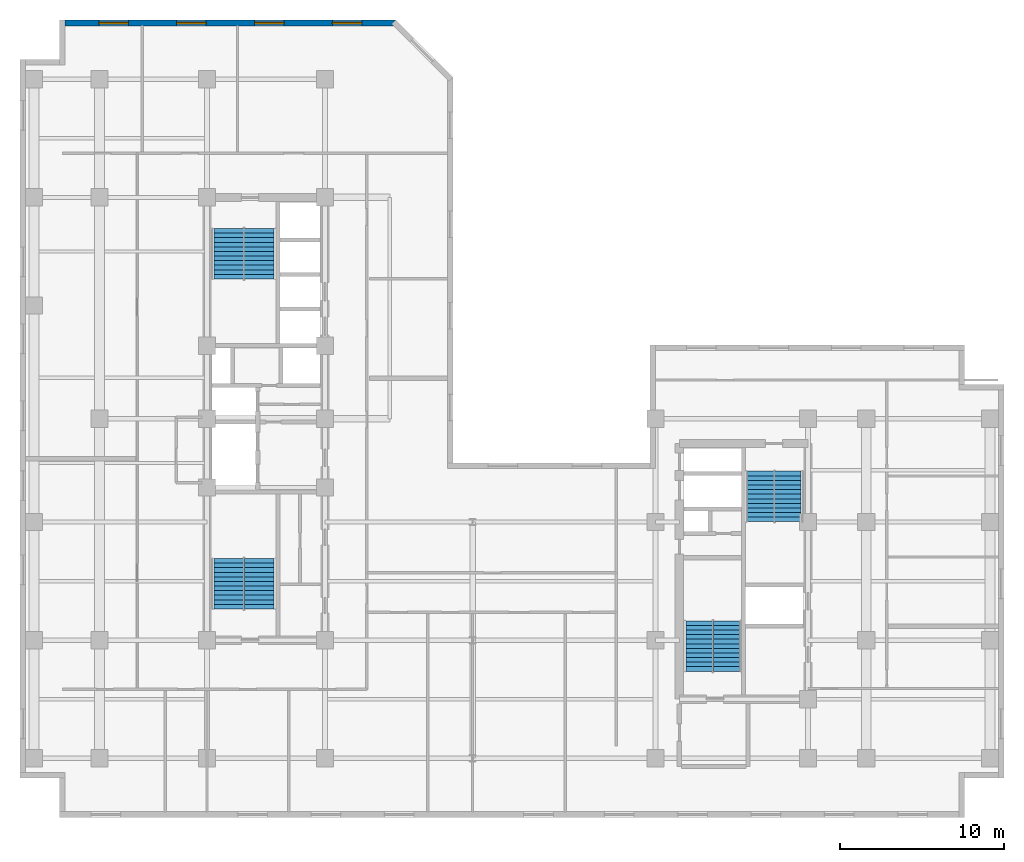
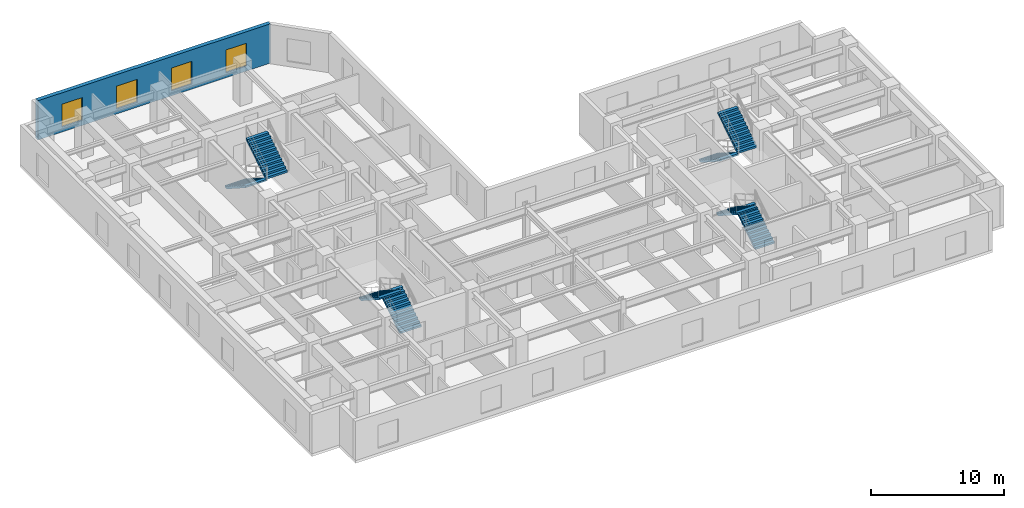
# One storey, part 7 of 10: 8 stair flights, 4 windows, 1 wall, 4 openings, 4 elements without a shape of their own.
"""IFC4 building model written with IfcOpenShell, lengths in metres."""

from ifc_helpers import new_model, entity, si_unit, converted_unit, direction, frame, origin_with_axes, origin_2d_with_axis, place, context, subcontext, project, spatial, polyline, rectangle, outline, extrude, material, layer, layer_set, type_object, element, fill, aggregate, save


model = new_model("IFC4")

# Units and contexts
model_context = context("Model", 3, precision=1e-05, world=origin_with_axes(), true_north=direction((0.0, 1.0)))
body_context = subcontext(model_context, "Body", "Model", "MODEL_VIEW")
ifc_project = project(units=[si_unit("LENGTHUNIT", "METRE"), si_unit("AREAUNIT", "SQUARE_METRE"), si_unit("VOLUMEUNIT", "CUBIC_METRE"), converted_unit("PLANEANGLEUNIT", "DEGREE", entity("IfcPlaneAngleMeasure", 0.017453292519943295), si_unit("PLANEANGLEUNIT", "RADIAN"), dimensions=[0, 0, 0, 0, 0, 0, 0]), si_unit("MASSUNIT", "GRAM", prefix="KILO"), si_unit("THERMODYNAMICTEMPERATUREUNIT", "KELVIN")], contexts=[model_context])

# Site, building, storey
site_placement = place(None, origin_with_axes())
site = spatial("IfcSite", under=ifc_project, at=site_placement, CompositionType="ELEMENT")
building_placement = place(site_placement, origin_with_axes())
building = spatial("IfcBuilding", under=site, at=building_placement, Name="Varnlund Millrace Tower", CompositionType="ELEMENT")
storey_placement = place(building_placement, frame((0.0, 0.0, 183.6), z_axis=(0.0, 0.0, 1.0), x_axis=(1.0, 0.0, 0.0)))
storey = spatial("IfcBuildingStorey", under=building, at=storey_placement, Name="L45", CompositionType="ELEMENT", Elevation=183.6)

# Wall, openings, windows
ifc_material_1 = material(Name="Precast concrete C50/60", Category="concrete")
ifc_layer = layer(ifc_material_1, 0.34, Name="Precast concrete C50/60")
ifc_layer_set = layer_set([ifc_layer], Name="Precast concrete C50/60")
wall_type = type_object("IfcWallType", Name="Type-ExtWall-Precast-Upper-340", PredefinedType="SOLIDWALL", material=ifc_layer_set)
wall_placement = place(storey_placement, frame((2.74, 48.43, 0.0), z_axis=(0.0, 0.0, 1.0), x_axis=(1.0, 0.0, 0.0)))
wall = element("IfcWall", 1, at=wall_placement, inside=storey, type_object=wall_type, Name="Type-ExtWall-Precast-Upper-340", PredefinedType="SOLIDWALL", context=body_context, shape_type="SweptSolid", body=[
    extrude(outline(polyline([(0.0, -0.17), (20.174, -0.17), (20.174, 0.17), (0.0, 0.17), (0.0, -0.17)])), origin_with_axes(), (0.0, 0.0, 1.0), 3.6),
])
opening_1_placement = place(wall_placement, frame((2.972, 0.0, 0.45), z_axis=(0.0, 0.0, 1.0), x_axis=(1.0, 0.0, 0.0)))
opening_1 = element("IfcOpeningElement", 2, at=opening_1_placement, cuts=wall, Name="Opening L45:WN-25", PredefinedType="OPENING", context=body_context, shape_type="SweptSolid", body=[
    extrude(rectangle(XDim=1.8, YDim=0.36, at=origin_2d_with_axis()), origin_with_axes(), (0.0, 0.0, 1.0), 2.1),
])
opening_2_placement = place(wall_placement, frame((7.715, 0.0, 0.45), z_axis=(0.0, 0.0, 1.0), x_axis=(1.0, 0.0, 0.0)))
opening_2 = element("IfcOpeningElement", 3, at=opening_2_placement, cuts=wall, Name="Opening L45:WN-26", PredefinedType="OPENING", context=body_context, shape_type="SweptSolid", body=[
    extrude(rectangle(XDim=1.8, YDim=0.36, at=origin_2d_with_axis()), origin_with_axes(), (0.0, 0.0, 1.0), 2.1),
])
opening_3_placement = place(wall_placement, frame((12.459, 0.0, 0.45), z_axis=(0.0, 0.0, 1.0), x_axis=(1.0, 0.0, 0.0)))
opening_3 = element("IfcOpeningElement", 4, at=opening_3_placement, cuts=wall, Name="Opening L45:WN-27", PredefinedType="OPENING", context=body_context, shape_type="SweptSolid", body=[
    extrude(rectangle(XDim=1.8, YDim=0.36, at=origin_2d_with_axis()), origin_with_axes(), (0.0, 0.0, 1.0), 2.1),
])
opening_4_placement = place(wall_placement, frame((17.202, 0.0, 0.45), z_axis=(0.0, 0.0, 1.0), x_axis=(1.0, 0.0, 0.0)))
opening_4 = element("IfcOpeningElement", 5, at=opening_4_placement, cuts=wall, Name="Opening L45:WN-28", PredefinedType="OPENING", context=body_context, shape_type="SweptSolid", body=[
    extrude(rectangle(XDim=1.8, YDim=0.36, at=origin_2d_with_axis()), origin_with_axes(), (0.0, 0.0, 1.0), 2.1),
])
ifc_material_2 = material(Name="Argon low-e triple glazing in thermally broken bronze frame", Category="glass")
window_type = type_object("IfcWindowType", Name="Type-Window-Punched-1800X2100", PartitioningType="SINGLE_PANEL", PredefinedType="WINDOW", material=ifc_material_2)
window_1_placement = place(wall_placement, frame((2.972, 0.0, 0.45), z_axis=(0.0, 0.0, 1.0), x_axis=(1.0, 0.0, 0.0)))
window_1 = element("IfcWindow", 6, at=window_1_placement, inside=storey, type_object=window_type, Name="Type-Window-Punched-1800X2100", OverallHeight=2.1, OverallWidth=1.8, PredefinedType="WINDOW", context=body_context, shape_type="SweptSolid", body=[
    extrude(rectangle(XDim=1.8, YDim=0.09, at=origin_2d_with_axis()), origin_with_axes(), (0.0, 0.0, 1.0), 2.1),
])
fill(opening_1, window_1)
window_2_placement = place(wall_placement, frame((7.715, 0.0, 0.45), z_axis=(0.0, 0.0, 1.0), x_axis=(1.0, 0.0, 0.0)))
window_2 = element("IfcWindow", 7, at=window_2_placement, inside=storey, type_object=window_type, Name="Type-Window-Punched-1800X2100", OverallHeight=2.1, OverallWidth=1.8, PredefinedType="WINDOW", context=body_context, shape_type="SweptSolid", body=[
    extrude(rectangle(XDim=1.8, YDim=0.09, at=origin_2d_with_axis()), origin_with_axes(), (0.0, 0.0, 1.0), 2.1),
])
fill(opening_2, window_2)
window_3_placement = place(wall_placement, frame((12.459, 0.0, 0.45), z_axis=(0.0, 0.0, 1.0), x_axis=(1.0, 0.0, 0.0)))
window_3 = element("IfcWindow", 8, at=window_3_placement, inside=storey, type_object=window_type, Name="Type-Window-Punched-1800X2100", OverallHeight=2.1, OverallWidth=1.8, PredefinedType="WINDOW", context=body_context, shape_type="SweptSolid", body=[
    extrude(rectangle(XDim=1.8, YDim=0.09, at=origin_2d_with_axis()), origin_with_axes(), (0.0, 0.0, 1.0), 2.1),
])
fill(opening_3, window_3)
window_4_placement = place(wall_placement, frame((17.202, 0.0, 0.45), z_axis=(0.0, 0.0, 1.0), x_axis=(1.0, 0.0, 0.0)))
window_4 = element("IfcWindow", 9, at=window_4_placement, inside=storey, type_object=window_type, Name="Type-Window-Punched-1800X2100", OverallHeight=2.1, OverallWidth=1.8, PredefinedType="WINDOW", context=body_context, shape_type="SweptSolid", body=[
    extrude(rectangle(XDim=1.8, YDim=0.09, at=origin_2d_with_axis()), origin_with_axes(), (0.0, 0.0, 1.0), 2.1),
])
fill(opening_4, window_4)

# Stair, stair flights
ifc_material_3 = material(Name="Concrete C50/60", Category="concrete")
stair_type_1 = type_object("IfcStairType", Name="Type-Stair-Dogleg-165-390", PredefinedType="HALF_TURN_STAIR", material=ifc_material_3)
stair_1_placement = place(storey_placement, origin_with_axes())
stair_1 = element("IfcStair", 10, at=stair_1_placement, inside=storey, type_object=stair_type_1, Name="Type-Stair-Dogleg-165-390", PredefinedType="HALF_TURN_STAIR")
stair_flight_type_1 = type_object("IfcStairFlightType", Name="Type-Dogleg-Run-165-390", PredefinedType="STRAIGHT", material=ifc_material_1)
stair_flight_1_placement = place(storey_placement, frame((42.225, 8.9, 0.0), z_axis=(1.0, 0.0, 0.0), x_axis=(0.0, 1.0, 0.0)))
stair_flight_1 = element("IfcStairFlight", 11, at=stair_flight_1_placement, type_object=stair_flight_type_1, Name="ST-B1 flight 1", NumberOfRisers=11, NumberOfTreads=11, PredefinedType="STRAIGHT", RiserHeight=0.177273, TreadLength=0.28, context=body_context, shape_type="SweptSolid", body=[
    extrude(outline(polyline([(0.0, 0.0), (0.0, 0.177273), (0.28, 0.177273), (0.28, 0.354545), (0.56, 0.354545), (0.56, 0.531818), (0.84, 0.531818), (0.84, 0.709091), (1.12, 0.709091), (1.12, 0.886364), (1.4, 0.886364), (1.4, 1.063636), (1.68, 1.063636), (1.68, 1.240909), (1.96, 1.240909), (1.96, 1.418182), (2.24, 1.418182), (2.24, 1.595454), (2.52, 1.595454), (2.52, 1.772727), (2.8, 1.772727), (2.8, 1.95), (3.08, 1.95), (3.08, 1.8), (0.28, 0.0), (0.0, 0.0)])), origin_with_axes(), (0.0, 0.0, 1.0), 1.65),
])
stair_flight_2_placement = place(storey_placement, frame((42.275, 11.98, 1.95), z_axis=(-1.0, 0.0, 0.0), x_axis=(0.0, -1.0, 0.0)))
stair_flight_2 = element("IfcStairFlight", 12, at=stair_flight_2_placement, type_object=stair_flight_type_1, Name="ST-B1 flight 2", NumberOfRisers=11, NumberOfTreads=11, PredefinedType="STRAIGHT", RiserHeight=0.177273, TreadLength=0.28, context=body_context, shape_type="SweptSolid", body=[
    extrude(outline(polyline([(0.0, 0.0), (0.0, 0.177273), (0.28, 0.177273), (0.28, 0.354545), (0.56, 0.354545), (0.56, 0.531818), (0.84, 0.531818), (0.84, 0.709091), (1.12, 0.709091), (1.12, 0.886364), (1.4, 0.886364), (1.4, 1.063636), (1.68, 1.063636), (1.68, 1.240909), (1.96, 1.240909), (1.96, 1.418182), (2.24, 1.418182), (2.24, 1.595454), (2.52, 1.595454), (2.52, 1.772727), (2.8, 1.772727), (2.8, 1.95), (3.08, 1.95), (3.08, 1.8), (0.28, 0.0), (0.0, 0.0)])), origin_with_axes(), (0.0, 0.0, 1.0), 1.65),
])
aggregate(stair_1, [stair_flight_1, stair_flight_2])

stair_2_placement = place(storey_placement, origin_with_axes())
stair_2 = element("IfcStair", 13, at=stair_2_placement, inside=storey, type_object=stair_type_1, Name="Type-Stair-Dogleg-165-390", PredefinedType="HALF_TURN_STAIR")
stair_flight_3_placement = place(storey_placement, frame((46.025, 21.1, 0.0), z_axis=(-1.0, 0.0, 0.0), x_axis=(0.0, -1.0, 0.0)))
stair_flight_3 = element("IfcStairFlight", 14, at=stair_flight_3_placement, type_object=stair_flight_type_1, Name="ST-B2 flight 1", NumberOfRisers=11, NumberOfTreads=11, PredefinedType="STRAIGHT", RiserHeight=0.177273, TreadLength=0.28, context=body_context, shape_type="SweptSolid", body=[
    extrude(outline(polyline([(0.0, 0.0), (0.0, 0.177273), (0.28, 0.177273), (0.28, 0.354545), (0.56, 0.354545), (0.56, 0.531818), (0.84, 0.531818), (0.84, 0.709091), (1.12, 0.709091), (1.12, 0.886364), (1.4, 0.886364), (1.4, 1.063636), (1.68, 1.063636), (1.68, 1.240909), (1.96, 1.240909), (1.96, 1.418182), (2.24, 1.418182), (2.24, 1.595454), (2.52, 1.595454), (2.52, 1.772727), (2.8, 1.772727), (2.8, 1.95), (3.08, 1.95), (3.08, 1.8), (0.28, 0.0), (0.0, 0.0)])), origin_with_axes(), (0.0, 0.0, 1.0), 1.65),
])
stair_flight_4_placement = place(storey_placement, frame((45.975, 18.02, 1.95), z_axis=(1.0, 0.0, 0.0), x_axis=(0.0, 1.0, 0.0)))
stair_flight_4 = element("IfcStairFlight", 15, at=stair_flight_4_placement, type_object=stair_flight_type_1, Name="ST-B2 flight 2", NumberOfRisers=11, NumberOfTreads=11, PredefinedType="STRAIGHT", RiserHeight=0.177273, TreadLength=0.28, context=body_context, shape_type="SweptSolid", body=[
    extrude(outline(polyline([(0.0, 0.0), (0.0, 0.177273), (0.28, 0.177273), (0.28, 0.354545), (0.56, 0.354545), (0.56, 0.531818), (0.84, 0.531818), (0.84, 0.709091), (1.12, 0.709091), (1.12, 0.886364), (1.4, 0.886364), (1.4, 1.063636), (1.68, 1.063636), (1.68, 1.240909), (1.96, 1.240909), (1.96, 1.418182), (2.24, 1.418182), (2.24, 1.595454), (2.52, 1.595454), (2.52, 1.772727), (2.8, 1.772727), (2.8, 1.95), (3.08, 1.95), (3.08, 1.8), (0.28, 0.0), (0.0, 0.0)])), origin_with_axes(), (0.0, 0.0, 1.0), 1.65),
])
aggregate(stair_2, [stair_flight_3, stair_flight_4])

stair_type_2 = type_object("IfcStairType", Name="Type-Stair-Dogleg-185-390", PredefinedType="HALF_TURN_STAIR", material=ifc_material_3)
stair_3_placement = place(storey_placement, origin_with_axes())
stair_3 = element("IfcStair", 16, at=stair_3_placement, inside=storey, type_object=stair_type_2, Name="Type-Stair-Dogleg-185-390", PredefinedType="HALF_TURN_STAIR")
stair_flight_type_2 = type_object("IfcStairFlightType", Name="Type-Dogleg-Run-185-390", PredefinedType="STRAIGHT", material=ifc_material_1)
stair_flight_5_placement = place(storey_placement, frame((13.625, 12.7, 0.0), z_axis=(1.0, 0.0, 0.0), x_axis=(0.0, 1.0, 0.0)))
stair_flight_5 = element("IfcStairFlight", 17, at=stair_flight_5_placement, type_object=stair_flight_type_2, Name="ST-A1 flight 1", NumberOfRisers=11, NumberOfTreads=11, PredefinedType="STRAIGHT", RiserHeight=0.177273, TreadLength=0.28, context=body_context, shape_type="SweptSolid", body=[
    extrude(outline(polyline([(0.0, 0.0), (0.0, 0.177273), (0.28, 0.177273), (0.28, 0.354545), (0.56, 0.354545), (0.56, 0.531818), (0.84, 0.531818), (0.84, 0.709091), (1.12, 0.709091), (1.12, 0.886364), (1.4, 0.886364), (1.4, 1.063636), (1.68, 1.063636), (1.68, 1.240909), (1.96, 1.240909), (1.96, 1.418182), (2.24, 1.418182), (2.24, 1.595454), (2.52, 1.595454), (2.52, 1.772727), (2.8, 1.772727), (2.8, 1.95), (3.08, 1.95), (3.08, 1.8), (0.28, 0.0), (0.0, 0.0)])), origin_with_axes(), (0.0, 0.0, 1.0), 1.85),
])
stair_flight_6_placement = place(storey_placement, frame((13.675, 15.78, 1.95), z_axis=(-1.0, 0.0, 0.0), x_axis=(0.0, -1.0, 0.0)))
stair_flight_6 = element("IfcStairFlight", 18, at=stair_flight_6_placement, type_object=stair_flight_type_2, Name="ST-A1 flight 2", NumberOfRisers=11, NumberOfTreads=11, PredefinedType="STRAIGHT", RiserHeight=0.177273, TreadLength=0.28, context=body_context, shape_type="SweptSolid", body=[
    extrude(outline(polyline([(0.0, 0.0), (0.0, 0.177273), (0.28, 0.177273), (0.28, 0.354545), (0.56, 0.354545), (0.56, 0.531818), (0.84, 0.531818), (0.84, 0.709091), (1.12, 0.709091), (1.12, 0.886364), (1.4, 0.886364), (1.4, 1.063636), (1.68, 1.063636), (1.68, 1.240909), (1.96, 1.240909), (1.96, 1.418182), (2.24, 1.418182), (2.24, 1.595454), (2.52, 1.595454), (2.52, 1.772727), (2.8, 1.772727), (2.8, 1.95), (3.08, 1.95), (3.08, 1.8), (0.28, 0.0), (0.0, 0.0)])), origin_with_axes(), (0.0, 0.0, 1.0), 1.85),
])
aggregate(stair_3, [stair_flight_5, stair_flight_6])

stair_4_placement = place(storey_placement, origin_with_axes())
stair_4 = element("IfcStair", 19, at=stair_4_placement, inside=storey, type_object=stair_type_2, Name="Type-Stair-Dogleg-185-390", PredefinedType="HALF_TURN_STAIR")
stair_flight_7_placement = place(storey_placement, frame((13.675, 35.9, 0.0), z_axis=(-1.0, 0.0, 0.0), x_axis=(0.0, -1.0, 0.0)))
stair_flight_7 = element("IfcStairFlight", 20, at=stair_flight_7_placement, type_object=stair_flight_type_2, Name="ST-A2 flight 1", NumberOfRisers=11, NumberOfTreads=11, PredefinedType="STRAIGHT", RiserHeight=0.177273, TreadLength=0.28, context=body_context, shape_type="SweptSolid", body=[
    extrude(outline(polyline([(0.0, 0.0), (0.0, 0.177273), (0.28, 0.177273), (0.28, 0.354545), (0.56, 0.354545), (0.56, 0.531818), (0.84, 0.531818), (0.84, 0.709091), (1.12, 0.709091), (1.12, 0.886364), (1.4, 0.886364), (1.4, 1.063636), (1.68, 1.063636), (1.68, 1.240909), (1.96, 1.240909), (1.96, 1.418182), (2.24, 1.418182), (2.24, 1.595454), (2.52, 1.595454), (2.52, 1.772727), (2.8, 1.772727), (2.8, 1.95), (3.08, 1.95), (3.08, 1.8), (0.28, 0.0), (0.0, 0.0)])), origin_with_axes(), (0.0, 0.0, 1.0), 1.85),
])
stair_flight_8_placement = place(storey_placement, frame((13.625, 32.82, 1.95), z_axis=(1.0, 0.0, 0.0), x_axis=(0.0, 1.0, 0.0)))
stair_flight_8 = element("IfcStairFlight", 21, at=stair_flight_8_placement, type_object=stair_flight_type_2, Name="ST-A2 flight 2", NumberOfRisers=11, NumberOfTreads=11, PredefinedType="STRAIGHT", RiserHeight=0.177273, TreadLength=0.28, context=body_context, shape_type="SweptSolid", body=[
    extrude(outline(polyline([(0.0, 0.0), (0.0, 0.177273), (0.28, 0.177273), (0.28, 0.354545), (0.56, 0.354545), (0.56, 0.531818), (0.84, 0.531818), (0.84, 0.709091), (1.12, 0.709091), (1.12, 0.886364), (1.4, 0.886364), (1.4, 1.063636), (1.68, 1.063636), (1.68, 1.240909), (1.96, 1.240909), (1.96, 1.418182), (2.24, 1.418182), (2.24, 1.595454), (2.52, 1.595454), (2.52, 1.772727), (2.8, 1.772727), (2.8, 1.95), (3.08, 1.95), (3.08, 1.8), (0.28, 0.0), (0.0, 0.0)])), origin_with_axes(), (0.0, 0.0, 1.0), 1.85),
])
aggregate(stair_4, [stair_flight_7, stair_flight_8])

save(model, "model.ifc")
